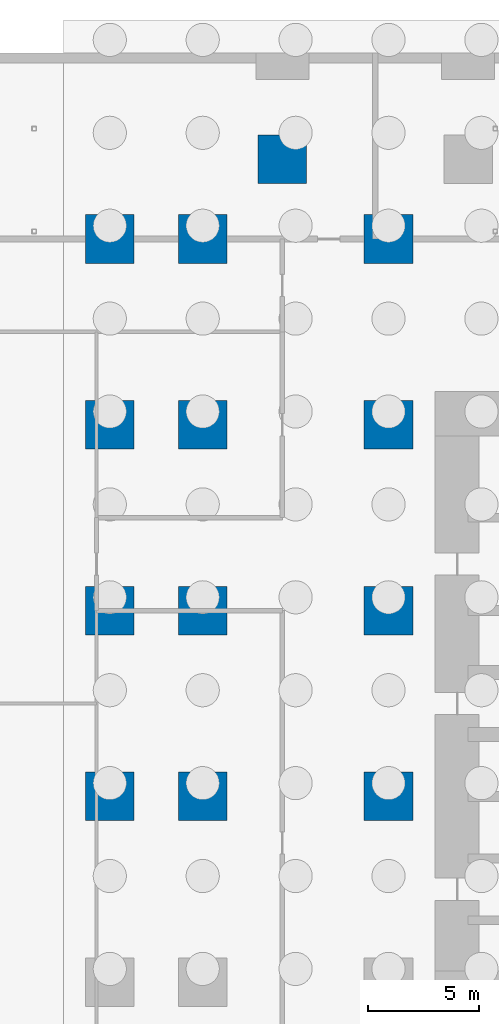
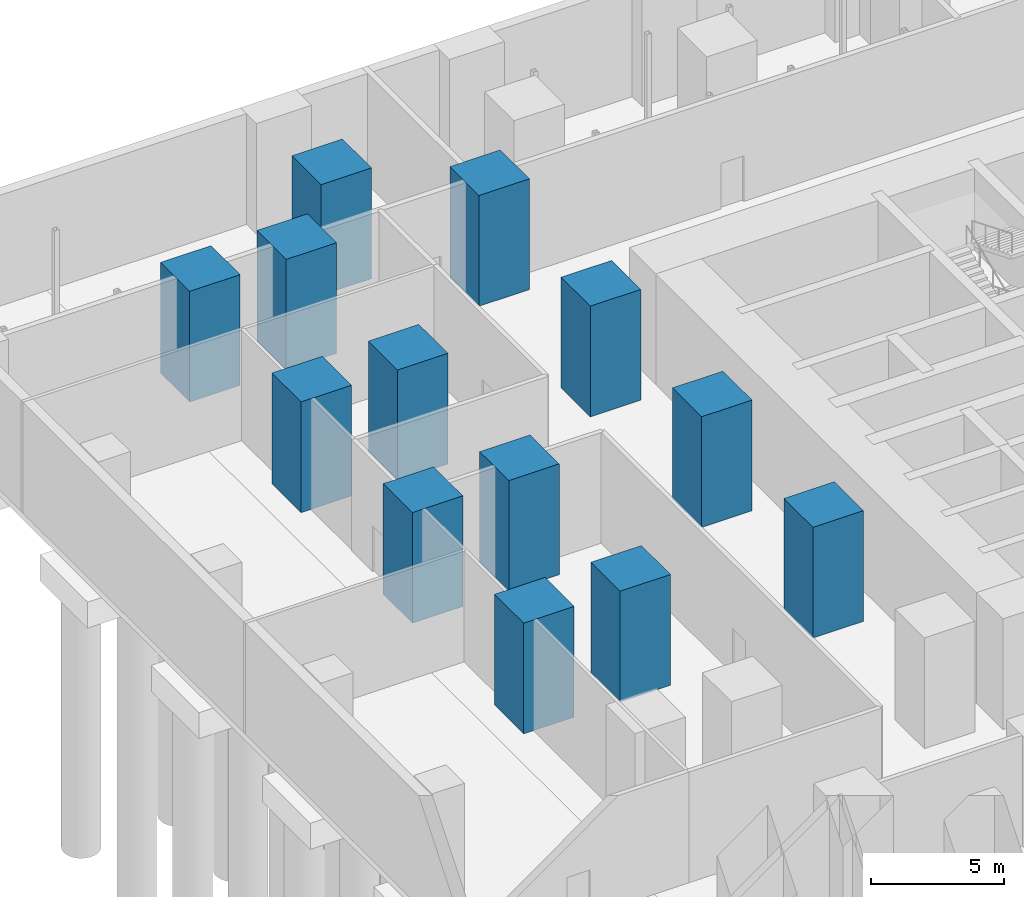
# One storey, part 7 of 18: 13 columns.
"""IFC4 building model written with IfcOpenShell, lengths in metres."""

from ifc_helpers import new_model, si_unit, direction, frame, origin, origin_2d, place, context, subcontext, project, spatial, rectangle, extrude, material, material_profile, profile_set, type_object, element, save


model = new_model("IFC4")

# Units and contexts
model_context = context("Model", 3, precision=1e-05, world=origin(), true_north=direction((0.0, 1.0)))
body_context = subcontext(model_context, "Body", "Model", "MODEL_VIEW")
ifc_project = project(units=[si_unit("LENGTHUNIT", "METRE"), si_unit("AREAUNIT", "SQUARE_METRE"), si_unit("VOLUMEUNIT", "CUBIC_METRE"), si_unit("PLANEANGLEUNIT", "RADIAN"), si_unit("MASSUNIT", "GRAM", prefix="KILO")], contexts=[model_context])

# Site, building, storey
site_placement = place(None, origin())
site = spatial("IfcSite", under=ifc_project, at=site_placement, CompositionType="ELEMENT")
building_placement = place(site_placement, origin())
building = spatial("IfcBuilding", under=site, at=building_placement, Name="Dunama Terrace Hotel", CompositionType="ELEMENT")
storey_placement = place(building_placement, frame((0.0, 0.0, -5.39990234375)))
storey = spatial("IfcBuildingStorey", under=building, at=storey_placement, Name="B1", CompositionType="ELEMENT", Elevation=-5.39990234375)

# Columns
ifc_material = material(Name="Concrete C60/75", Category="concrete")
ifc_material_profile = material_profile(ifc_material, rectangle(XDim=2.199951171875, YDim=2.199951171875, at=origin_2d()), Name="RC 2200x2200")
ifc_profile_set = profile_set([ifc_material_profile], Name="Concrete C60/75")
column_type = type_object("IfcColumnType", Name="Column RC 2200x2200", PredefinedType="COLUMN", material=ifc_profile_set)
for number, where, z_axis, x_axis, name in (
    (1, (0.60009765625, 25.199951171875, 0.0), (0.0, 0.0, 1.0), (1.0, 0.0, 0.0), "Column B1 +0.6/+25.2"),
    (2, (0.60009765625, 33.60009765625, 0.0), (0.0, 0.0, 1.0), (1.0, 0.0, 0.0), "Column B1 +0.6/+33.6"),
    (3, (0.60009765625, 42.0, 0.0), (0.0, 0.0, 1.0), (1.0, 0.0, 0.0), "Column B1 +0.6/+42.0"),
    (4, (0.60009765625, 50.39990234375, 0.0), (0.0, 0.0, 1.0), (1.0, 0.0, 0.0), "Column B1 +0.6/+50.4"),
    (5, (4.800048828125, 25.199951171875, 0.0), (0.0, 0.0, 1.0), (1.0, 0.0, 0.0), "Column B1 +4.8/+25.2"),
    (6, (4.800048828125, 33.60009765625, 0.0), (0.0, 0.0, 1.0), (1.0, 0.0, 0.0), "Column B1 +4.8/+33.6"),
    (7, (4.800048828125, 42.0, 0.0), (0.0, 0.0, 1.0), (1.0, 0.0, 0.0), "Column B1 +4.8/+42.0"),
    (8, (4.800048828125, 50.39990234375, 0.0), (0.0, 0.0, 1.0), (1.0, 0.0, 0.0), "Column B1 +4.8/+50.4"),
    (9, (8.39990234375, 54.0, 0.0), (0.0, 0.0, 1.0), (1.0, 0.0, 0.0), "Column B1 +8.4/+54.0"),
    (10, (13.199951171875, 25.199951171875, 0.0), (0.0, 0.0, 1.0), (1.0, 0.0, 0.0), "Column B1 +13.2/+25.2"),
    (11, (13.199951171875, 33.60009765625, 0.0), (0.0, 0.0, 1.0), (1.0, 0.0, 0.0), "Column B1 +13.2/+33.6"),
    (12, (13.199951171875, 42.0, 0.0), (0.0, 0.0, 1.0), (1.0, 0.0, 0.0), "Column B1 +13.2/+42.0"),
    (13, (13.199951171875, 50.39990234375, 0.0), (0.0, 0.0, 1.0), (1.0, 0.0, 0.0), "Column B1 +13.2/+50.4"),
):
    element("IfcColumn", number, at=place(storey_placement, frame(where, z_axis=z_axis, x_axis=x_axis)), inside=storey, type_object=column_type, Name=name, PredefinedType="COLUMN", context=body_context, shape_type="SweptSolid", body=[
        extrude(rectangle(XDim=2.199951171875, YDim=2.199951171875, at=origin_2d()), origin(), (0.0, 0.0, 1.0), 5.099853515625),
    ])

save(model, "model.ifc")
